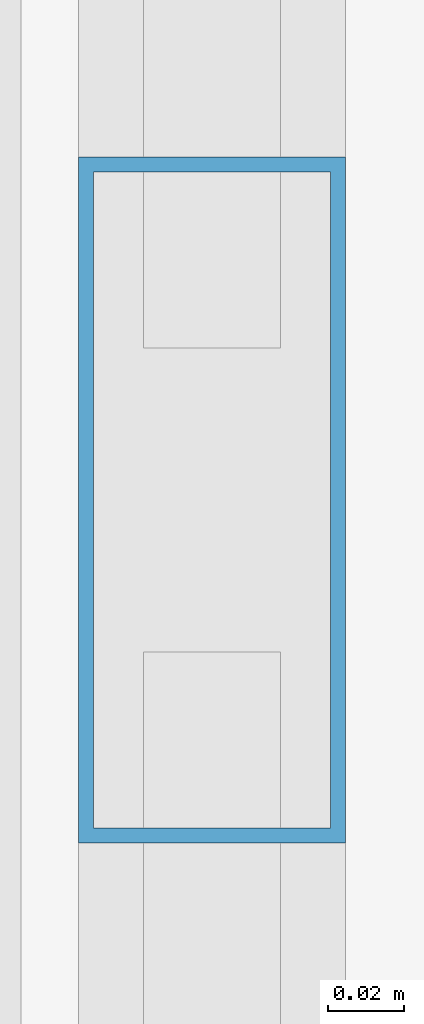
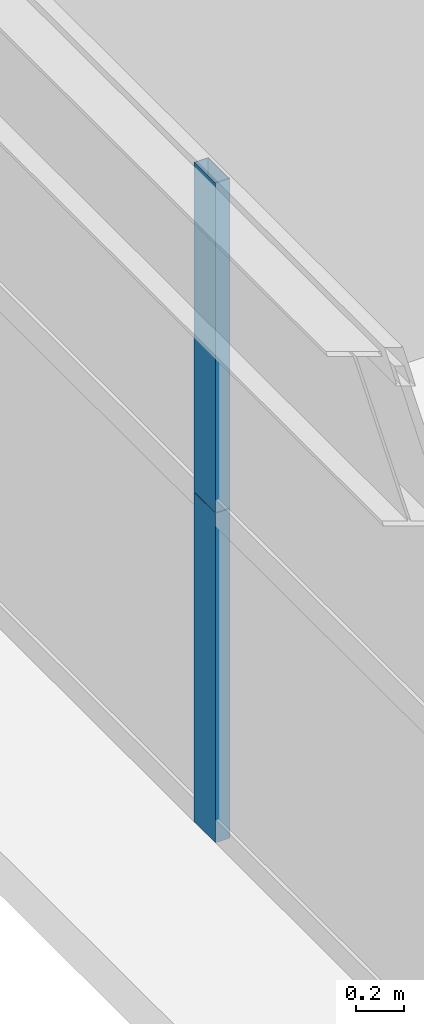
# One storey, part 10 of 45: 2 members, 1 element without a shape of its own.
"""IFC4 building model written with IfcOpenShell, lengths in metres."""

from ifc_helpers import new_model, si_unit, direction, frame, origin, origin_2d, place, context, subcontext, project, spatial, hollow_rectangle, extrude, source, transform, mapped, material, layer, layer_set, material_profile, profile_set, type_object, element, aggregate, save


model = new_model("IFC4")

# Units and contexts
model_context = context("Model", 3, precision=1e-05, world=origin(), true_north=direction((0.0, 1.0)))
body_context = subcontext(model_context, "Body", "Model", "MODEL_VIEW")
ifc_project = project(units=[si_unit("LENGTHUNIT", "METRE"), si_unit("AREAUNIT", "SQUARE_METRE"), si_unit("VOLUMEUNIT", "CUBIC_METRE"), si_unit("PLANEANGLEUNIT", "RADIAN"), si_unit("MASSUNIT", "GRAM", prefix="KILO"), si_unit("THERMODYNAMICTEMPERATUREUNIT", "KELVIN"), si_unit("POWERUNIT", "WATT")], contexts=[model_context])

# Site, building, storey
site_placement = place(None, origin())
site = spatial("IfcSite", under=ifc_project, at=site_placement, CompositionType="ELEMENT")
building_placement = place(site_placement, origin())
building = spatial("IfcBuilding", under=site, at=building_placement, Name="Yuzanri Waterfront Tower", CompositionType="ELEMENT")
storey_placement = place(building_placement, frame((0.0, 0.0, 49.60009765625)))
storey = spatial("IfcBuildingStorey", under=building, at=storey_placement, Name="L12", CompositionType="ELEMENT", Elevation=49.60009765625)

# Curtain wall, members
ifc_material_1 = material(Name="Anodized Architectural Bronze", Category="metal")
ifc_layer = layer(ifc_material_1, 0.159912109375)
ifc_layer_set = layer_set([ifc_layer], Name="Anodized Architectural Bronze")
curtain_wall_type = type_object("IfcCurtainWallType", Name="Anodized Bronze Hotel Lower-Tier Recessed Unitized Curtain Wall 8100", PredefinedType="NOTDEFINED", material=ifc_layer_set)
curtain_wall_placement = place(storey_placement, origin())
curtain_wall = element("IfcCurtainWall", 1, at=curtain_wall_placement, inside=storey, type_object=curtain_wall_type, Name="L12 Curtain Wall CW-L12-WL", PredefinedType="NOTDEFINED")
ifc_material_2 = material(Name="Anodized Architectural Bronze", Category="metal")
ifc_material_profile = material_profile(ifc_material_2, hollow_rectangle(XDim=0.070068359375, YDim=0.179931640625, WallThickness=0.00390625, at=origin_2d()), Name="CWM 70x180")
ifc_profile_set = profile_set([ifc_material_profile], Name="Anodized Architectural Bronze")
member_type = type_object("IfcMemberType", Name="Anodized Bronze Standard Curtain-Wall Mullion 70x180", PredefinedType="MULLION", material=ifc_profile_set)
shared_shape = source(origin(), body_context, "Body", "SweptSolid", [
    extrude(hollow_rectangle(XDim=0.070068359375, YDim=0.179931640625, WallThickness=0.00390625, at=origin_2d()), origin(), (0.0, 0.0, 1.0), 1.68798828125),
])
member_1_placement = place(storey_placement, frame((12.050048828125, 16.699951171875, 0.0), z_axis=(0.0, 0.0, 1.0), x_axis=(1.0, 0.0, 0.0)))
member_1 = element("IfcMember", 2, at=member_1_placement, type_object=member_type, Name="CW-L12-WL Lower Mullion 01", PredefinedType="MULLION", context=body_context, shape_type="MappedRepresentation", body=[
    mapped(shared_shape, transform((0.0, 0.0, 0.0), scale=1.0)),
])
member_2_placement = place(storey_placement, frame((12.050048828125, 16.699951171875, 1.69189453125), z_axis=(0.0, 0.0, 1.0), x_axis=(1.0, 0.0, 0.0)))
member_2 = element("IfcMember", 3, at=member_2_placement, type_object=member_type, Name="CW-L12-WL Upper Mullion 01", PredefinedType="MULLION", context=body_context, shape_type="MappedRepresentation", body=[
    mapped(shared_shape, transform((0.0, 0.0, 0.0), scale=1.0)),
])
aggregate(curtain_wall, [member_1, member_2])

save(model, "model.ifc")
